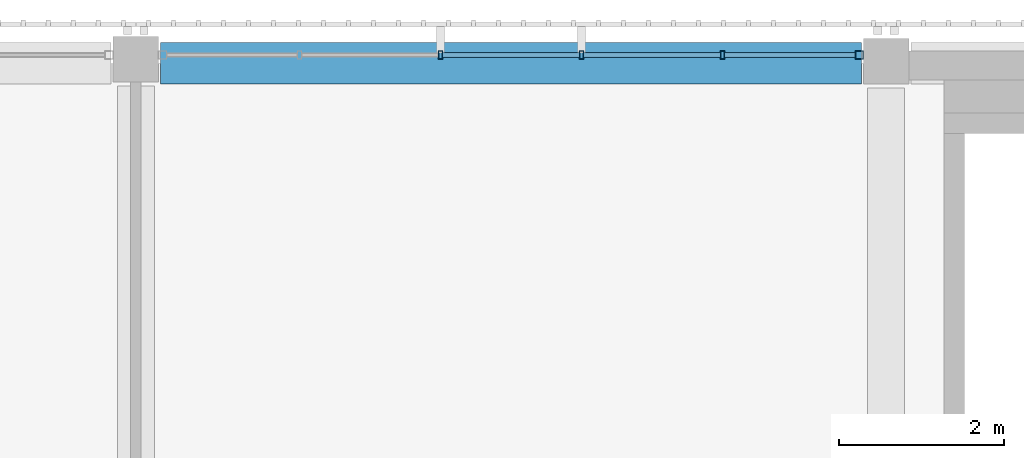
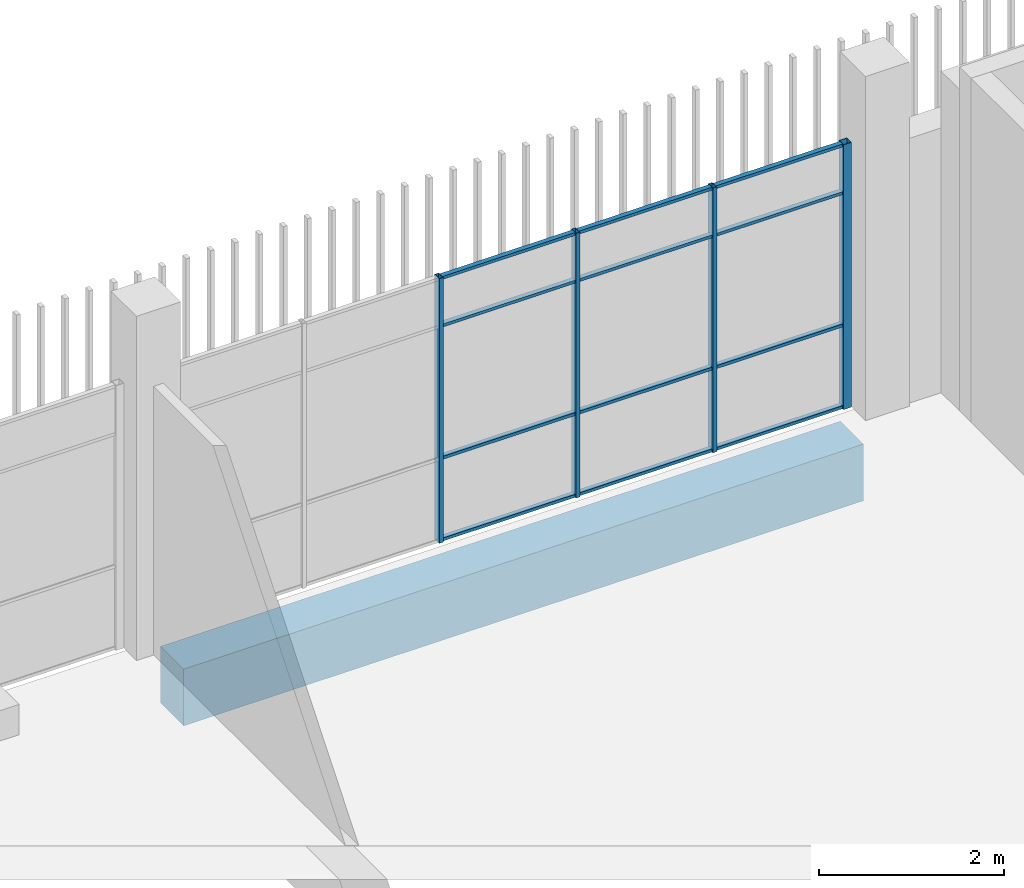
# One storey, part 27 of 104: 16 members, 1 beam, 1 element without a shape of its own.
"""IFC4 building model written with IfcOpenShell, lengths in metres."""

from ifc_helpers import new_model, si_unit, direction, frame, origin, origin_2d, place, context, subcontext, project, spatial, rectangle, hollow_rectangle, extrude, material, layer, layer_set, material_profile, profile_set, type_object, element, aggregate, save


model = new_model("IFC4")

# Units and contexts
model_context = context("Model", 3, precision=1e-05, world=origin(), true_north=direction((0.0, 1.0)))
body_context = subcontext(model_context, "Body", "Model", "MODEL_VIEW")
ifc_project = project(units=[si_unit("LENGTHUNIT", "METRE"), si_unit("AREAUNIT", "SQUARE_METRE"), si_unit("VOLUMEUNIT", "CUBIC_METRE"), si_unit("PLANEANGLEUNIT", "RADIAN"), si_unit("MASSUNIT", "GRAM", prefix="KILO")], contexts=[model_context])

# Site, building, storey
site_placement = place(None, origin())
site = spatial("IfcSite", under=ifc_project, at=site_placement, CompositionType="ELEMENT")
building_placement = place(site_placement, origin())
building = spatial("IfcBuilding", under=site, at=building_placement, Name="Shirokan Park Arena", CompositionType="ELEMENT")
storey_placement = place(building_placement, frame((0.0, 0.0, 10.919921875)))
storey = spatial("IfcBuildingStorey", under=building, at=storey_placement, Name="L02", CompositionType="ELEMENT", Elevation=10.919921875)

# Curtain wall, members
ifc_material_1 = material(Name="Steel and glass curtain wall", Category="steel")
ifc_layer = layer(ifc_material_1, 0.10009765625)
ifc_layer_set = layer_set([ifc_layer], Name="Steel and glass curtain wall 100 mm")
curtain_wall_type = type_object("IfcCurtainWallType", Name="Curtain wall sheltered bay 100", PredefinedType="NOTDEFINED", material=ifc_layer_set)
curtain_wall_placement = place(storey_placement, origin())
curtain_wall = element("IfcCurtainWall", 1, at=curtain_wall_placement, inside=storey, type_object=curtain_wall_type, Name="Curtain wall north bay 11 L02", PredefinedType="NOTDEFINED")
ifc_material_2 = material(Name="Steel S355", Category="steel")
ifc_material_profile_1 = material_profile(ifc_material_2, hollow_rectangle(XDim=0.10009765625, YDim=0.10009765625, WallThickness=0.006103515625, at=origin_2d()), Name="RHS 100x100x6")
ifc_profile_set_1 = profile_set([ifc_material_profile_1], Name="Steel S355")
member_type_1 = type_object("IfcMemberType", Name="Mullion RHS 100x100x6", PredefinedType="MULLION", material=ifc_profile_set_1)
member_1_placement = place(storey_placement, frame((54.27490234375, 109.300048828125, 0.0), z_axis=(0.0, 0.0, 1.0), x_axis=(0.0, -1.0, 0.0)))
member_1 = element("IfcMember", 2, at=member_1_placement, type_object=member_type_1, Name="CW2 mullion 1", PredefinedType="MULLION", context=body_context, shape_type="SweptSolid", body=[
    extrude(hollow_rectangle(XDim=0.10009765625, YDim=0.10009765625, WallThickness=0.006103515625, at=origin_2d()), origin(), (0.0, 0.0, 1.0), 3.5),
])
ifc_material_profile_2 = material_profile(ifc_material_2, hollow_rectangle(XDim=0.10009765625, YDim=0.050048828125, WallThickness=0.0048828125, at=origin_2d()), Name="RHS 100x50x5")
ifc_profile_set_2 = profile_set([ifc_material_profile_2], Name="Steel S355")
member_type_2 = type_object("IfcMemberType", Name="Mullion RHS 100x50x5", PredefinedType="MULLION", material=ifc_profile_set_2)
member_2_placement = place(storey_placement, frame((52.614990234375, 109.300048828125, 0.0), z_axis=(0.0, 0.0, 1.0), x_axis=(0.0, -1.0, 0.0)))
member_2 = element("IfcMember", 3, at=member_2_placement, type_object=member_type_2, Name="CW2 mullion 2", PredefinedType="MULLION", context=body_context, shape_type="SweptSolid", body=[
    extrude(hollow_rectangle(XDim=0.10009765625, YDim=0.050048828125, WallThickness=0.0048828125, at=origin_2d()), origin(), (0.0, 0.0, 1.0), 3.5),
])
member_3_placement = place(storey_placement, frame((50.905029296875, 109.300048828125, 0.0), z_axis=(0.0, 0.0, 1.0), x_axis=(0.0, -1.0, 0.0)))
member_3 = element("IfcMember", 4, at=member_3_placement, type_object=member_type_2, Name="CW2 mullion 3", PredefinedType="MULLION", context=body_context, shape_type="SweptSolid", body=[
    extrude(hollow_rectangle(XDim=0.10009765625, YDim=0.050048828125, WallThickness=0.0048828125, at=origin_2d()), origin(), (0.0, 0.0, 1.0), 3.5),
])
member_4_placement = place(storey_placement, frame((49.195068359375, 109.300048828125, 0.0), z_axis=(0.0, 0.0, 1.0), x_axis=(0.0, -1.0, 0.0)))
member_4 = element("IfcMember", 5, at=member_4_placement, type_object=member_type_2, Name="CW2 mullion 4", PredefinedType="MULLION", context=body_context, shape_type="SweptSolid", body=[
    extrude(hollow_rectangle(XDim=0.10009765625, YDim=0.050048828125, WallThickness=0.0048828125, at=origin_2d()), origin(), (0.0, 0.0, 1.0), 3.5),
])

# Beam
ifc_material_3 = material(Name="Concrete C35", Category="concrete")
ifc_material_profile_3 = material_profile(ifc_material_3, rectangle(XDim=0.5, YDim=0.75, at=origin_2d()), Name="500x750")
ifc_profile_set_3 = profile_set([ifc_material_profile_3], Name="Concrete C35")
beam_type = type_object("IfcBeamType", Name="RC girder 500x750", PredefinedType="BEAM", material=ifc_profile_set_3)
beam_placement = place(storey_placement, frame((45.800048828125, 109.199951171875, -0.6748046875), z_axis=(1.0, 0.0, 0.0), x_axis=(0.0, 1.0, 0.0)))
element("IfcBeam", 6, at=beam_placement, inside=storey, type_object=beam_type, Name="Girder 6N-7N L02", PredefinedType="BEAM", context=body_context, shape_type="SweptSolid", body=[
    extrude(rectangle(XDim=0.5, YDim=0.75, at=origin_2d()), origin(), (0.0, 0.0, 1.0), 8.499755859375),
])

# Member
ifc_material_profile_4 = material_profile(ifc_material_2, hollow_rectangle(XDim=0.06005859375, YDim=0.0400390625, WallThickness=0.00390625, at=origin_2d()), Name="RHS 60x40x4")
ifc_profile_set_4 = profile_set([ifc_material_profile_4], Name="Steel S355")
member_type_3 = type_object("IfcMemberType", Name="Transom RHS 60x40x4", PredefinedType="MULLION", material=ifc_profile_set_4)
member_5_placement = place(storey_placement, frame((54.22509765625, 109.300048828125, 0.02001953125), z_axis=(-1.0, 0.0, 0.0), x_axis=(0.0, -1.0, 0.0)))
member_5 = element("IfcMember", 7, at=member_5_placement, type_object=member_type_3, Name="CW2 transom 1.1", PredefinedType="MULLION", context=body_context, shape_type="SweptSolid", body=[
    extrude(hollow_rectangle(XDim=0.06005859375, YDim=0.0400390625, WallThickness=0.00390625, at=origin_2d()), origin(), (0.0, 0.0, 1.0), 1.585205078125),
])

member_6_placement = place(storey_placement, frame((54.22509765625, 109.300048828125, 1.10009765625), z_axis=(-1.0, 0.0, 0.0), x_axis=(0.0, -1.0, 0.0)))
member_6 = element("IfcMember", 8, at=member_6_placement, type_object=member_type_3, Name="CW2 transom 1.2", PredefinedType="MULLION", context=body_context, shape_type="SweptSolid", body=[
    extrude(hollow_rectangle(XDim=0.06005859375, YDim=0.0400390625, WallThickness=0.00390625, at=origin_2d()), origin(), (0.0, 0.0, 1.0), 1.585205078125),
])

member_7_placement = place(storey_placement, frame((54.22509765625, 109.300048828125, 2.85009765625), z_axis=(-1.0, 0.0, 0.0), x_axis=(0.0, -1.0, 0.0)))
member_7 = element("IfcMember", 9, at=member_7_placement, type_object=member_type_3, Name="CW2 transom 1.3", PredefinedType="MULLION", context=body_context, shape_type="SweptSolid", body=[
    extrude(hollow_rectangle(XDim=0.06005859375, YDim=0.0400390625, WallThickness=0.00390625, at=origin_2d()), origin(), (0.0, 0.0, 1.0), 1.585205078125),
])

member_8_placement = place(storey_placement, frame((54.22509765625, 109.300048828125, 3.47998046875), z_axis=(-1.0, 0.0, 0.0), x_axis=(0.0, -1.0, 0.0)))
member_8 = element("IfcMember", 10, at=member_8_placement, type_object=member_type_3, Name="CW2 transom 1.4", PredefinedType="MULLION", context=body_context, shape_type="SweptSolid", body=[
    extrude(hollow_rectangle(XDim=0.06005859375, YDim=0.0400390625, WallThickness=0.00390625, at=origin_2d()), origin(), (0.0, 0.0, 1.0), 1.585205078125),
])

member_9_placement = place(storey_placement, frame((52.590087890625, 109.300048828125, 0.02001953125), z_axis=(-1.0, 0.0, 0.0), x_axis=(0.0, -1.0, 0.0)))
member_9 = element("IfcMember", 11, at=member_9_placement, type_object=member_type_3, Name="CW2 transom 2.1", PredefinedType="MULLION", context=body_context, shape_type="SweptSolid", body=[
    extrude(hollow_rectangle(XDim=0.06005859375, YDim=0.0400390625, WallThickness=0.00390625, at=origin_2d()), origin(), (0.0, 0.0, 1.0), 1.66015625),
])

member_10_placement = place(storey_placement, frame((52.590087890625, 109.300048828125, 1.10009765625), z_axis=(-1.0, 0.0, 0.0), x_axis=(0.0, -1.0, 0.0)))
member_10 = element("IfcMember", 12, at=member_10_placement, type_object=member_type_3, Name="CW2 transom 2.2", PredefinedType="MULLION", context=body_context, shape_type="SweptSolid", body=[
    extrude(hollow_rectangle(XDim=0.06005859375, YDim=0.0400390625, WallThickness=0.00390625, at=origin_2d()), origin(), (0.0, 0.0, 1.0), 1.66015625),
])

member_11_placement = place(storey_placement, frame((52.590087890625, 109.300048828125, 2.85009765625), z_axis=(-1.0, 0.0, 0.0), x_axis=(0.0, -1.0, 0.0)))
member_11 = element("IfcMember", 13, at=member_11_placement, type_object=member_type_3, Name="CW2 transom 2.3", PredefinedType="MULLION", context=body_context, shape_type="SweptSolid", body=[
    extrude(hollow_rectangle(XDim=0.06005859375, YDim=0.0400390625, WallThickness=0.00390625, at=origin_2d()), origin(), (0.0, 0.0, 1.0), 1.66015625),
])

member_12_placement = place(storey_placement, frame((52.590087890625, 109.300048828125, 3.47998046875), z_axis=(-1.0, 0.0, 0.0), x_axis=(0.0, -1.0, 0.0)))
member_12 = element("IfcMember", 14, at=member_12_placement, type_object=member_type_3, Name="CW2 transom 2.4", PredefinedType="MULLION", context=body_context, shape_type="SweptSolid", body=[
    extrude(hollow_rectangle(XDim=0.06005859375, YDim=0.0400390625, WallThickness=0.00390625, at=origin_2d()), origin(), (0.0, 0.0, 1.0), 1.66015625),
])

member_13_placement = place(storey_placement, frame((50.8798828125, 109.300048828125, 0.02001953125), z_axis=(-1.0, 0.0, 0.0), x_axis=(0.0, -1.0, 0.0)))
member_13 = element("IfcMember", 15, at=member_13_placement, type_object=member_type_3, Name="CW2 transom 3.1", PredefinedType="MULLION", context=body_context, shape_type="SweptSolid", body=[
    extrude(hollow_rectangle(XDim=0.06005859375, YDim=0.0400390625, WallThickness=0.00390625, at=origin_2d()), origin(), (0.0, 0.0, 1.0), 1.659912109375),
])

member_14_placement = place(storey_placement, frame((50.8798828125, 109.300048828125, 1.10009765625), z_axis=(-1.0, 0.0, 0.0), x_axis=(0.0, -1.0, 0.0)))
member_14 = element("IfcMember", 16, at=member_14_placement, type_object=member_type_3, Name="CW2 transom 3.2", PredefinedType="MULLION", context=body_context, shape_type="SweptSolid", body=[
    extrude(hollow_rectangle(XDim=0.06005859375, YDim=0.0400390625, WallThickness=0.00390625, at=origin_2d()), origin(), (0.0, 0.0, 1.0), 1.659912109375),
])

member_15_placement = place(storey_placement, frame((50.8798828125, 109.300048828125, 2.85009765625), z_axis=(-1.0, 0.0, 0.0), x_axis=(0.0, -1.0, 0.0)))
member_15 = element("IfcMember", 17, at=member_15_placement, type_object=member_type_3, Name="CW2 transom 3.3", PredefinedType="MULLION", context=body_context, shape_type="SweptSolid", body=[
    extrude(hollow_rectangle(XDim=0.06005859375, YDim=0.0400390625, WallThickness=0.00390625, at=origin_2d()), origin(), (0.0, 0.0, 1.0), 1.659912109375),
])

member_16_placement = place(storey_placement, frame((50.8798828125, 109.300048828125, 3.47998046875), z_axis=(-1.0, 0.0, 0.0), x_axis=(0.0, -1.0, 0.0)))
member_16 = element("IfcMember", 18, at=member_16_placement, type_object=member_type_3, Name="CW2 transom 3.4", PredefinedType="MULLION", context=body_context, shape_type="SweptSolid", body=[
    extrude(hollow_rectangle(XDim=0.06005859375, YDim=0.0400390625, WallThickness=0.00390625, at=origin_2d()), origin(), (0.0, 0.0, 1.0), 1.659912109375),
])

aggregate(curtain_wall, [member_1, member_2, member_3, member_4, member_5, member_6, member_7, member_8, member_9, member_10, member_11, member_12, member_13, member_14, member_15, member_16])

save(model, "model.ifc")
